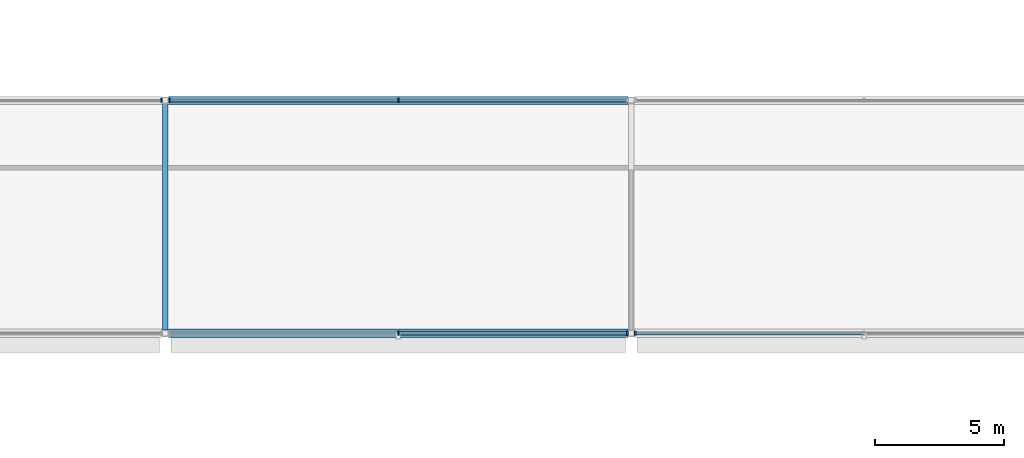
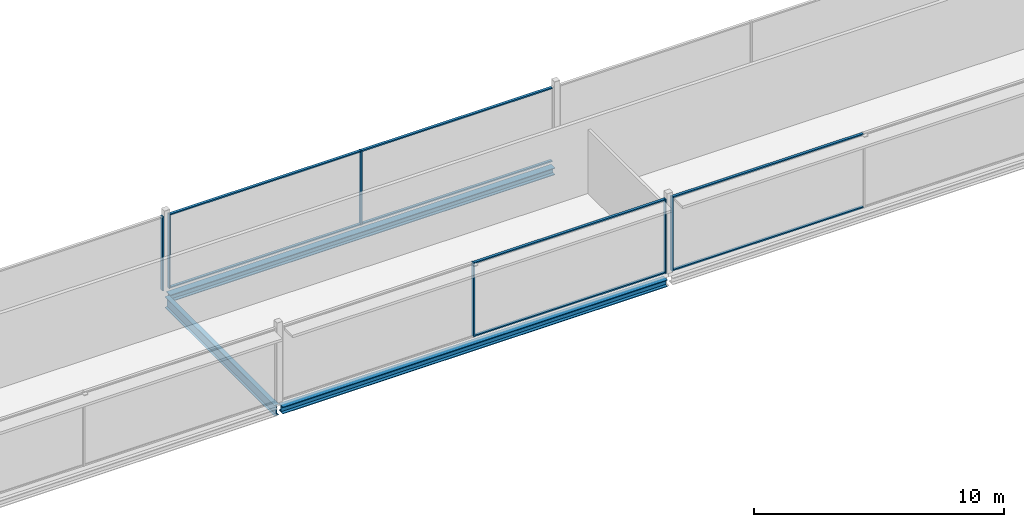
# One storey, part 36 of 98: 14 members, 3 beams, 4 elements without a shape of their own.
"""IFC4 building model written with IfcOpenShell, lengths in metres."""

from ifc_helpers import new_model, si_unit, direction, frame, origin, origin_2d, place, context, subcontext, project, spatial, rectangle, i_section, extrude, material, layer, layer_set, material_profile, profile_set, type_object, element, aggregate, save


model = new_model("IFC4")

# Units and contexts
model_context = context("Model", 3, precision=1e-05, world=origin(), true_north=direction((0.0, 1.0)))
body_context = subcontext(model_context, "Body", "Model", "MODEL_VIEW")
ifc_project = project(units=[si_unit("LENGTHUNIT", "METRE"), si_unit("AREAUNIT", "SQUARE_METRE"), si_unit("VOLUMEUNIT", "CUBIC_METRE"), si_unit("PLANEANGLEUNIT", "RADIAN"), si_unit("MASSUNIT", "GRAM", prefix="KILO")], contexts=[model_context])

# Site, building, storey
site_placement = place(None, origin())
site = spatial("IfcSite", under=ifc_project, at=site_placement, CompositionType="ELEMENT")
building_placement = place(site_placement, origin())
building = spatial("IfcBuilding", under=site, at=building_placement, Name="Kisiwana Market Hall", CompositionType="ELEMENT")
storey_placement = place(building_placement, frame((0.0, 0.0, 29.39990234375)))
storey = spatial("IfcBuildingStorey", under=building, at=storey_placement, Name="L06", CompositionType="ELEMENT", Elevation=29.39990234375)

# Beams
ifc_material_1 = material(Name="Steel S355", Category="steel")
ifc_material_profile_1 = material_profile(ifc_material_1, i_section(OverallWidth=0.209228515625, OverallDepth=0.533203125, WebThickness=0.010009765625, FlangeThickness=0.015625, at=origin_2d()), Name="UB 533x210x92")
ifc_profile_set_1 = profile_set([ifc_material_profile_1], Name="Steel S355")
beam_type_1 = type_object("IfcBeamType", Name="BM-GIRD-UB533", PredefinedType="BEAM", material=ifc_profile_set_1)
beam_placement = place(storey_placement, frame((81.0, 93.12109375, -0.531494140625), z_axis=(0.0, 1.0, 0.0), x_axis=(-1.0, 0.0, 0.0)))
element("IfcBeam", 1, at=beam_placement, inside=storey, type_object=beam_type_1, Name="Primary girder B-1722", PredefinedType="BEAM", context=body_context, shape_type="SweptSolid", body=[
    extrude(i_section(OverallWidth=0.209228515625, OverallDepth=0.533203125, WebThickness=0.010009765625, FlangeThickness=0.015625, at=origin_2d()), origin(), (0.0, 0.0, 1.0), 8.7578125),
])
ifc_material_2 = material(Name="Steel S355", Category="steel")
ifc_material_profile_2 = material_profile(ifc_material_2, i_section(OverallWidth=0.314453125, OverallDepth=0.33984375, WebThickness=0.01904296875, FlangeThickness=0.031494140625, at=origin_2d()), Name="UC 305x305x198")
ifc_profile_set_2 = profile_set([ifc_material_profile_2], Name="Steel S355")
beam_type_2 = type_object("IfcBeamType", Name="BM-SKYBR-CHORD", PredefinedType="BEAM", material=ifc_profile_set_2)
for number, where, z_axis, x_axis, name in (
    (2, (81.12109375, 93.0, -0.434814453125), (1.0, 0.0, 0.0), (0.0, 1.0, 0.0), "Floor beam B-1823"),
    (3, (81.12109375, 102.0, -0.434814453125), (1.0, 0.0, 0.0), (0.0, 1.0, 0.0), "Floor beam B-1833"),
):
    element("IfcBeam", number, at=place(storey_placement, frame(where, z_axis=z_axis, x_axis=x_axis)), inside=storey, type_object=beam_type_2, Name=name, PredefinedType="BEAM", context=body_context, shape_type="SweptSolid", body=[
        extrude(i_section(OverallWidth=0.314453125, OverallDepth=0.33984375, WebThickness=0.01904296875, FlangeThickness=0.031494140625, at=origin_2d()), origin(), (0.0, 0.0, 1.0), 17.7578125),
    ])

# Curtain wall, members
ifc_material_3 = material(Name="Double-glazed solar-control low-E IGU", Category="glass")
ifc_layer = layer(ifc_material_3, 0.159912109375)
ifc_layer_set = layer_set([ifc_layer], Name="CW-ZNA-EW-8200")
curtain_wall_type = type_object("IfcCurtainWallType", Name="CW-ZNA-EW-8200", PredefinedType="USERDEFINED", material=ifc_layer_set)
curtain_wall_1_placement = place(storey_placement, origin())
curtain_wall_1 = element("IfcCurtainWall", 4, at=curtain_wall_1_placement, inside=storey, type_object=curtain_wall_type, Name="Unitised curtain wall CW-186 (L06)", ObjectType="UNITISED CURTAIN WALL", PredefinedType="USERDEFINED")
ifc_material_4 = material(Name="Aluminium alloy 6063-T6", Category="aluminium")
ifc_material_profile_3 = material_profile(ifc_material_4, rectangle(XDim=0.06005859375, YDim=0.159912109375, at=origin_2d()), Name="ALU MULLION 60x160")
ifc_profile_set_3 = profile_set([ifc_material_profile_3], Name="Aluminium alloy 6063-T6")
member_type_1 = type_object("IfcMemberType", Name="CW-MULL-60x160", PredefinedType="MULLION", material=ifc_profile_set_3)
member_1_placement = place(storey_placement, frame((90.0, 93.0, 0.0), z_axis=(0.0, 0.0, 1.0), x_axis=(1.0, 0.0, 0.0)))
member_1 = element("IfcMember", 5, at=member_1_placement, type_object=member_type_1, Name="CW-186 mullion 2", PredefinedType="MULLION", context=body_context, shape_type="SweptSolid", body=[
    extrude(rectangle(XDim=0.06005859375, YDim=0.159912109375, at=origin_2d()), origin(), (0.0, 0.0, 1.0), 3.6201171875),
])
member_2_placement = place(storey_placement, frame((98.844970703125, 93.0, 0.0), z_axis=(0.0, 0.0, 1.0), x_axis=(1.0, 0.0, 0.0)))
member_2 = element("IfcMember", 6, at=member_2_placement, type_object=member_type_1, Name="CW-186 mullion 3", PredefinedType="MULLION", context=body_context, shape_type="SweptSolid", body=[
    extrude(rectangle(XDim=0.06005859375, YDim=0.159912109375, at=origin_2d()), origin(), (0.0, 0.0, 1.0), 3.6201171875),
])

# Curtain wall, member
curtain_wall_2_placement = place(storey_placement, origin())
curtain_wall_2 = element("IfcCurtainWall", 7, at=curtain_wall_2_placement, inside=storey, type_object=curtain_wall_type, Name="Unitised curtain wall CW-187 (L06)", ObjectType="UNITISED CURTAIN WALL", PredefinedType="USERDEFINED")
member_3_placement = place(storey_placement, frame((99.155029296875, 93.0, 0.0), z_axis=(0.0, 0.0, 1.0), x_axis=(1.0, 0.0, 0.0)))
member_3 = element("IfcMember", 8, at=member_3_placement, type_object=member_type_1, Name="CW-187 mullion 1", PredefinedType="MULLION", context=body_context, shape_type="SweptSolid", body=[
    extrude(rectangle(XDim=0.06005859375, YDim=0.159912109375, at=origin_2d()), origin(), (0.0, 0.0, 1.0), 3.6201171875),
])

curtain_wall_3_placement = place(storey_placement, origin())
curtain_wall_3 = element("IfcCurtainWall", 9, at=curtain_wall_3_placement, inside=storey, type_object=curtain_wall_type, Name="Unitised curtain wall CW-191 (L06)", ObjectType="UNITISED CURTAIN WALL", PredefinedType="USERDEFINED")
member_4_placement = place(storey_placement, frame((80.844970703125, 102.0, 0.0), z_axis=(0.0, 0.0, 1.0), x_axis=(1.0, 0.0, 0.0)))
member_4 = element("IfcMember", 10, at=member_4_placement, type_object=member_type_1, Name="CW-191 mullion 3", PredefinedType="MULLION", context=body_context, shape_type="SweptSolid", body=[
    extrude(rectangle(XDim=0.06005859375, YDim=0.159912109375, at=origin_2d()), origin(), (0.0, 0.0, 1.0), 3.6201171875),
])
aggregate(curtain_wall_3, [member_4])

# Curtain wall, members
curtain_wall_4_placement = place(storey_placement, origin())
curtain_wall_4 = element("IfcCurtainWall", 11, at=curtain_wall_4_placement, inside=storey, type_object=curtain_wall_type, Name="Unitised curtain wall CW-192 (L06)", ObjectType="UNITISED CURTAIN WALL", PredefinedType="USERDEFINED")
member_5_placement = place(storey_placement, frame((81.155029296875, 102.0, 0.0), z_axis=(0.0, 0.0, 1.0), x_axis=(1.0, 0.0, 0.0)))
member_5 = element("IfcMember", 12, at=member_5_placement, type_object=member_type_1, Name="CW-192 mullion 1", PredefinedType="MULLION", context=body_context, shape_type="SweptSolid", body=[
    extrude(rectangle(XDim=0.06005859375, YDim=0.159912109375, at=origin_2d()), origin(), (0.0, 0.0, 1.0), 3.6201171875),
])
member_6_placement = place(storey_placement, frame((90.0, 102.0, 0.0), z_axis=(0.0, 0.0, 1.0), x_axis=(1.0, 0.0, 0.0)))
member_6 = element("IfcMember", 13, at=member_6_placement, type_object=member_type_1, Name="CW-192 mullion 2", PredefinedType="MULLION", context=body_context, shape_type="SweptSolid", body=[
    extrude(rectangle(XDim=0.06005859375, YDim=0.159912109375, at=origin_2d()), origin(), (0.0, 0.0, 1.0), 3.6201171875),
])

# Member
ifc_material_5 = material(Name="Aluminium alloy 6063-T6", Category="aluminium")
ifc_material_profile_4 = material_profile(ifc_material_5, rectangle(XDim=0.1201171875, YDim=0.06005859375, at=origin_2d()), Name="ALU TRANSOM 60x120")
ifc_profile_set_4 = profile_set([ifc_material_profile_4], Name="Aluminium alloy 6063-T6")
member_type_2 = type_object("IfcMemberType", Name="CW-TRAN-60x120", PredefinedType="USERDEFINED", material=ifc_profile_set_4)
member_7_placement = place(storey_placement, frame((90.030029296875, 93.0, 0.030029296875), z_axis=(1.0, 0.0, 0.0), x_axis=(0.0, 1.0, 0.0)))
member_7 = element("IfcMember", 14, at=member_7_placement, type_object=member_type_2, Name="CW-186 transom 2.1", ObjectType="TRANSOM", PredefinedType="USERDEFINED", context=body_context, shape_type="SweptSolid", body=[
    extrude(rectangle(XDim=0.1201171875, YDim=0.06005859375, at=origin_2d()), origin(), (0.0, 0.0, 1.0), 8.784912109375),
])

member_8_placement = place(storey_placement, frame((90.030029296875, 93.0, 3.590087890625), z_axis=(1.0, 0.0, 0.0), x_axis=(0.0, 1.0, 0.0)))
member_8 = element("IfcMember", 15, at=member_8_placement, type_object=member_type_2, Name="CW-186 transom 2.2", ObjectType="TRANSOM", PredefinedType="USERDEFINED", context=body_context, shape_type="SweptSolid", body=[
    extrude(rectangle(XDim=0.1201171875, YDim=0.06005859375, at=origin_2d()), origin(), (0.0, 0.0, 1.0), 8.784912109375),
])

aggregate(curtain_wall_1, [member_1, member_2, member_7, member_8])

member_9_placement = place(storey_placement, frame((99.18505859375, 93.0, 0.030029296875), z_axis=(1.0, 0.0, 0.0), x_axis=(0.0, 1.0, 0.0)))
member_9 = element("IfcMember", 16, at=member_9_placement, type_object=member_type_2, Name="CW-187 transom 1.1", ObjectType="TRANSOM", PredefinedType="USERDEFINED", context=body_context, shape_type="SweptSolid", body=[
    extrude(rectangle(XDim=0.1201171875, YDim=0.06005859375, at=origin_2d()), origin(), (0.0, 0.0, 1.0), 8.784912109375),
])

member_10_placement = place(storey_placement, frame((99.18505859375, 93.0, 3.590087890625), z_axis=(1.0, 0.0, 0.0), x_axis=(0.0, 1.0, 0.0)))
member_10 = element("IfcMember", 17, at=member_10_placement, type_object=member_type_2, Name="CW-187 transom 1.2", ObjectType="TRANSOM", PredefinedType="USERDEFINED", context=body_context, shape_type="SweptSolid", body=[
    extrude(rectangle(XDim=0.1201171875, YDim=0.06005859375, at=origin_2d()), origin(), (0.0, 0.0, 1.0), 8.784912109375),
])

aggregate(curtain_wall_2, [member_3, member_9, member_10])

member_11_placement = place(storey_placement, frame((81.18505859375, 102.0, 0.030029296875), z_axis=(1.0, 0.0, 0.0), x_axis=(0.0, 1.0, 0.0)))
member_11 = element("IfcMember", 18, at=member_11_placement, type_object=member_type_2, Name="CW-192 transom 1.1", ObjectType="TRANSOM", PredefinedType="USERDEFINED", context=body_context, shape_type="SweptSolid", body=[
    extrude(rectangle(XDim=0.1201171875, YDim=0.06005859375, at=origin_2d()), origin(), (0.0, 0.0, 1.0), 8.784912109375),
])

member_12_placement = place(storey_placement, frame((81.18505859375, 102.0, 3.590087890625), z_axis=(1.0, 0.0, 0.0), x_axis=(0.0, 1.0, 0.0)))
member_12 = element("IfcMember", 19, at=member_12_placement, type_object=member_type_2, Name="CW-192 transom 1.2", ObjectType="TRANSOM", PredefinedType="USERDEFINED", context=body_context, shape_type="SweptSolid", body=[
    extrude(rectangle(XDim=0.1201171875, YDim=0.06005859375, at=origin_2d()), origin(), (0.0, 0.0, 1.0), 8.784912109375),
])

member_13_placement = place(storey_placement, frame((90.030029296875, 102.0, 0.030029296875), z_axis=(1.0, 0.0, 0.0), x_axis=(0.0, 1.0, 0.0)))
member_13 = element("IfcMember", 20, at=member_13_placement, type_object=member_type_2, Name="CW-192 transom 2.1", ObjectType="TRANSOM", PredefinedType="USERDEFINED", context=body_context, shape_type="SweptSolid", body=[
    extrude(rectangle(XDim=0.1201171875, YDim=0.06005859375, at=origin_2d()), origin(), (0.0, 0.0, 1.0), 8.784912109375),
])

member_14_placement = place(storey_placement, frame((90.030029296875, 102.0, 3.590087890625), z_axis=(1.0, 0.0, 0.0), x_axis=(0.0, 1.0, 0.0)))
member_14 = element("IfcMember", 21, at=member_14_placement, type_object=member_type_2, Name="CW-192 transom 2.2", ObjectType="TRANSOM", PredefinedType="USERDEFINED", context=body_context, shape_type="SweptSolid", body=[
    extrude(rectangle(XDim=0.1201171875, YDim=0.06005859375, at=origin_2d()), origin(), (0.0, 0.0, 1.0), 8.784912109375),
])

aggregate(curtain_wall_4, [member_5, member_6, member_11, member_12, member_13, member_14])

save(model, "model.ifc")
